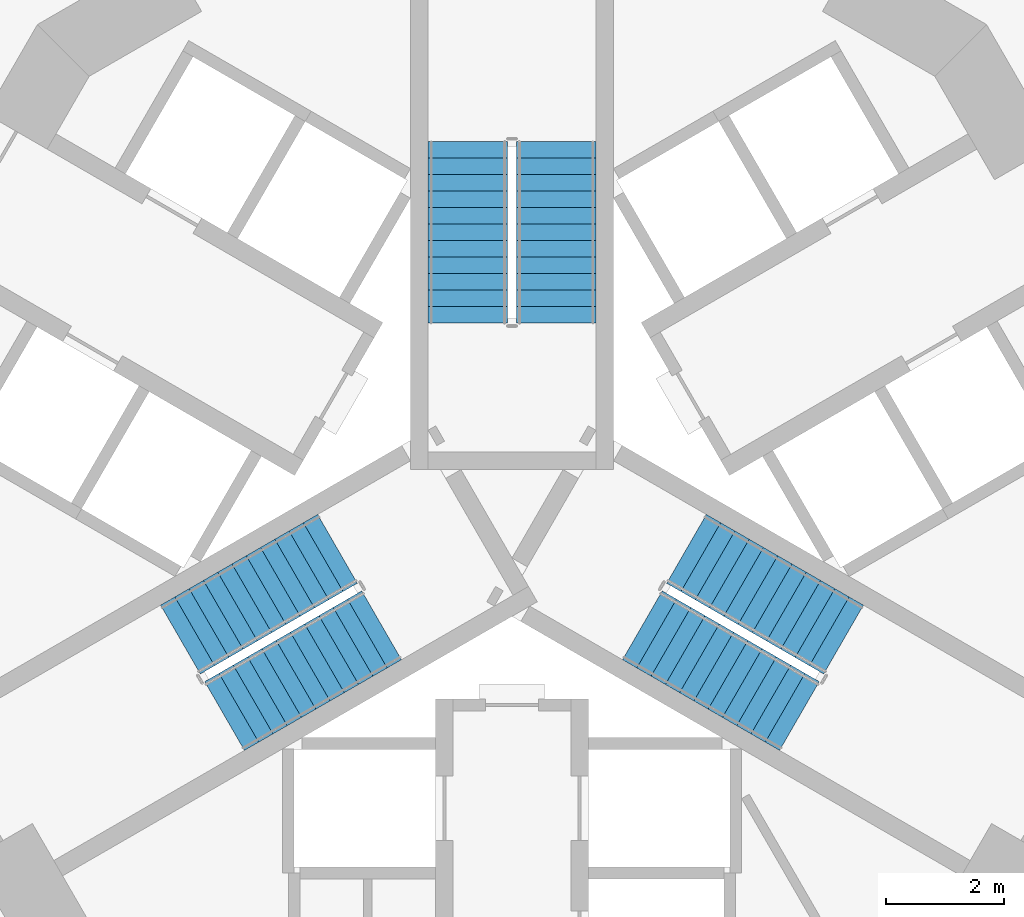
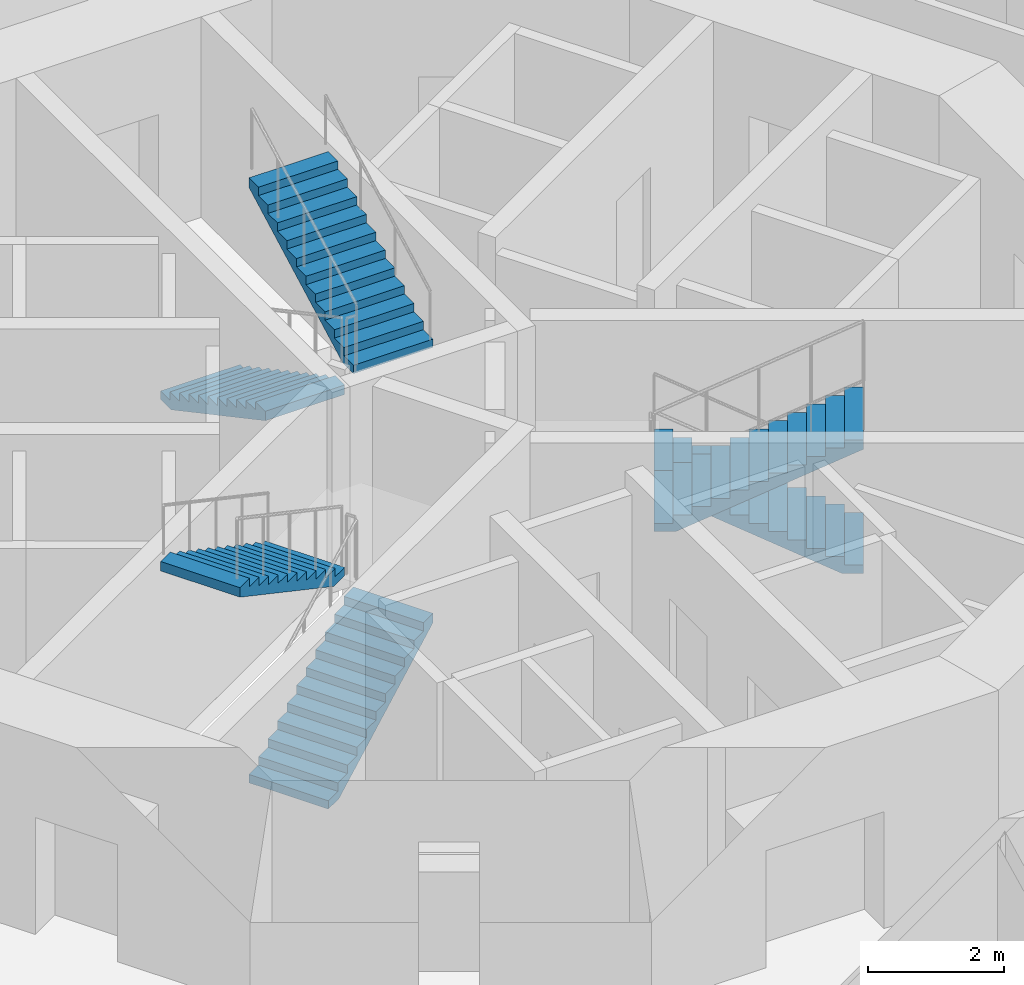
# One storey, part 11 of 19: 6 stair flights, 3 elements without a shape of their own.
"""IFC4 building model written with IfcOpenShell, lengths in metres."""

from ifc_helpers import new_model, si_unit, direction, frame, origin, place, context, subcontext, project, spatial, polyline, outline, extrude, material, type_object, element, aggregate, save


model = new_model("IFC4")

# Units and contexts
model_context = context("Model", 3, precision=1e-05, world=origin(), true_north=direction((0.0, 1.0)))
body_context = subcontext(model_context, "Body", "Model", "MODEL_VIEW")
ifc_project = project(units=[si_unit("LENGTHUNIT", "METRE"), si_unit("AREAUNIT", "SQUARE_METRE"), si_unit("VOLUMEUNIT", "CUBIC_METRE"), si_unit("PLANEANGLEUNIT", "RADIAN"), si_unit("MASSUNIT", "GRAM", prefix="KILO")], contexts=[model_context])

# Site, building, storey
site_placement = place(None, origin())
site = spatial("IfcSite", under=ifc_project, at=site_placement, CompositionType="ELEMENT")
building_placement = place(site_placement, origin())
building = spatial("IfcBuilding", under=site, at=building_placement, Name="Trine Commons Tower", CompositionType="ELEMENT")
storey_placement = place(building_placement, frame((0.0, 0.0, 87.300048828125)))
storey = spatial("IfcBuildingStorey", under=building, at=storey_placement, Name="L21", CompositionType="ELEMENT", Elevation=87.300048828125)

# Stair, stair flights
ifc_material = material(Name="Concrete C50/60", Category="concrete")
stair_type = type_object("IfcStairType", Name="Exit stair, dog-leg, 24 risers of 150 mm", PredefinedType="HALF_TURN_STAIR", material=ifc_material)
stair_1_placement = place(storey_placement, origin())
stair_1 = element("IfcStair", 1, at=stair_1_placement, inside=storey, type_object=stair_type, Name="L21 Exit stair ST1A", PredefinedType="HALF_TURN_STAIR")
stair_flight_type = type_object("IfcStairFlightType", Name="Stair flight, 1350 wide, 12 risers of 150 mm", PredefinedType="STRAIGHT", material=ifc_material)
stair_flight_1_placement = place(storey_placement, frame((79.25, 68.570556640625, 0.0), z_axis=(0.0, 0.0, 1.0), x_axis=(0.0, -1.0, 0.0)))
stair_flight_1 = element("IfcStairFlight", 2, at=stair_flight_1_placement, type_object=stair_flight_type, Name="ST1A flight 1", NumberOfRisers=12, NumberOfTreads=11, PredefinedType="STRAIGHT", RiserHeight=0.15, TreadLength=0.28, context=body_context, shape_type="SweptSolid", body=[
    extrude(outline(polyline([(0.0, 0.0), (0.0, 0.14990234375), (0.280029296875, 0.14990234375), (0.280029296875, 0.300048828125), (0.56005859375, 0.300048828125), (0.56005859375, 0.449951171875), (0.840087890625, 0.449951171875), (0.840087890625, 0.60009765625), (1.1201171875, 0.60009765625), (1.1201171875, 0.75), (1.39990234375, 0.75), (1.39990234375, 0.89990234375), (1.679931640625, 0.89990234375), (1.679931640625, 1.050048828125), (1.9599609375, 1.050048828125), (1.9599609375, 1.199951171875), (2.239990234375, 1.199951171875), (2.239990234375, 1.35009765625), (2.52001953125, 1.35009765625), (2.52001953125, 1.5), (2.800048828125, 1.5), (2.800048828125, 1.64990234375), (3.080078125, 1.64990234375), (3.080078125, 1.800048828125), (3.080078125, 1.47998046875), (0.3173828125, 0.0), (0.0, 0.0)])), frame((0.0, 0.675048828125, 0.0), z_axis=(0.0, -1.0, 0.0), x_axis=(1.0, 0.0, 0.0)), (0.0, 0.0, 1.0), 1.35009765625),
])
stair_flight_2_placement = place(storey_placement, frame((80.75, 65.490478515625, 1.800048828125), z_axis=(0.0, 0.0, 1.0), x_axis=(0.0, 1.0, 0.0)))
stair_flight_2 = element("IfcStairFlight", 3, at=stair_flight_2_placement, type_object=stair_flight_type, Name="ST1A flight 2", NumberOfRisers=12, NumberOfTreads=11, PredefinedType="STRAIGHT", RiserHeight=0.15, TreadLength=0.28, context=body_context, shape_type="SweptSolid", body=[
    extrude(outline(polyline([(0.0, 0.0), (0.0, 0.14990234375), (0.280029296875, 0.14990234375), (0.280029296875, 0.300048828125), (0.56005859375, 0.300048828125), (0.56005859375, 0.449951171875), (0.840087890625, 0.449951171875), (0.840087890625, 0.60009765625), (1.1201171875, 0.60009765625), (1.1201171875, 0.75), (1.39990234375, 0.75), (1.39990234375, 0.89990234375), (1.679931640625, 0.89990234375), (1.679931640625, 1.050048828125), (1.9599609375, 1.050048828125), (1.9599609375, 1.199951171875), (2.239990234375, 1.199951171875), (2.239990234375, 1.35009765625), (2.52001953125, 1.35009765625), (2.52001953125, 1.5), (2.800048828125, 1.5), (2.800048828125, 1.64990234375), (3.080078125, 1.64990234375), (3.080078125, 1.800048828125), (3.080078125, 1.47998046875), (0.3173828125, 0.0), (0.0, 0.0)])), frame((0.0, 0.675048828125, 0.0), z_axis=(0.0, -1.0, 0.0), x_axis=(1.0, 0.0, 0.0)), (0.0, 0.0, 1.0), 1.35009765625),
])
aggregate(stair_1, [stair_flight_1, stair_flight_2])

stair_2_placement = place(storey_placement, origin())
stair_2 = element("IfcStair", 4, at=stair_2_placement, inside=storey, type_object=stair_type, Name="L21 Exit stair ST2A", PredefinedType="HALF_TURN_STAIR")
stair_flight_3_placement = place(storey_placement, frame((75.11767578125, 58.815185546875, 0.0), z_axis=(0.0, 0.0, 1.0), x_axis=(0.866025403784, 0.5, 0.0)))
stair_flight_3 = element("IfcStairFlight", 5, at=stair_flight_3_placement, type_object=stair_flight_type, Name="ST2A flight 1", NumberOfRisers=12, NumberOfTreads=11, PredefinedType="STRAIGHT", RiserHeight=0.15, TreadLength=0.28, context=body_context, shape_type="SweptSolid", body=[
    extrude(outline(polyline([(0.0, 0.0), (0.0, 0.14990234375), (0.280029296875, 0.14990234375), (0.280029296875, 0.300048828125), (0.56005859375, 0.300048828125), (0.56005859375, 0.449951171875), (0.840087890625, 0.449951171875), (0.840087890625, 0.60009765625), (1.1201171875, 0.60009765625), (1.1201171875, 0.75), (1.39990234375, 0.75), (1.39990234375, 0.89990234375), (1.679931640625, 0.89990234375), (1.679931640625, 1.050048828125), (1.9599609375, 1.050048828125), (1.9599609375, 1.199951171875), (2.239990234375, 1.199951171875), (2.239990234375, 1.35009765625), (2.52001953125, 1.35009765625), (2.52001953125, 1.5), (2.800048828125, 1.5), (2.800048828125, 1.64990234375), (3.080078125, 1.64990234375), (3.080078125, 1.800048828125), (3.080078125, 1.47998046875), (0.3173828125, 0.0), (0.0, 0.0)])), frame((0.0, 0.675048828125, 0.0), z_axis=(0.0, -1.0, 0.0), x_axis=(1.0, 0.0, 0.0)), (0.0, 0.0, 1.0), 1.35009765625),
])
stair_flight_4_placement = place(storey_placement, frame((77.03515625, 61.654296875, 1.800048828125), z_axis=(0.0, 0.0, 1.0), x_axis=(-0.866025403784, -0.5, 0.0)))
stair_flight_4 = element("IfcStairFlight", 6, at=stair_flight_4_placement, type_object=stair_flight_type, Name="ST2A flight 2", NumberOfRisers=12, NumberOfTreads=11, PredefinedType="STRAIGHT", RiserHeight=0.15, TreadLength=0.28, context=body_context, shape_type="SweptSolid", body=[
    extrude(outline(polyline([(0.0, 0.0), (0.0, 0.14990234375), (0.280029296875, 0.14990234375), (0.280029296875, 0.300048828125), (0.56005859375, 0.300048828125), (0.56005859375, 0.449951171875), (0.840087890625, 0.449951171875), (0.840087890625, 0.60009765625), (1.1201171875, 0.60009765625), (1.1201171875, 0.75), (1.39990234375, 0.75), (1.39990234375, 0.89990234375), (1.679931640625, 0.89990234375), (1.679931640625, 1.050048828125), (1.9599609375, 1.050048828125), (1.9599609375, 1.199951171875), (2.239990234375, 1.199951171875), (2.239990234375, 1.35009765625), (2.52001953125, 1.35009765625), (2.52001953125, 1.5), (2.800048828125, 1.5), (2.800048828125, 1.64990234375), (3.080078125, 1.64990234375), (3.080078125, 1.800048828125), (3.080078125, 1.47998046875), (0.3173828125, 0.0), (0.0, 0.0)])), frame((0.0, 0.675048828125, 0.0), z_axis=(0.0, -1.0, 0.0), x_axis=(1.0, 0.0, 0.0)), (0.0, 0.0, 1.0), 1.35009765625),
])
aggregate(stair_2, [stair_flight_3, stair_flight_4])

stair_3_placement = place(storey_placement, origin())
stair_3 = element("IfcStair", 7, at=stair_3_placement, inside=storey, type_object=stair_type, Name="L21 Exit stair ST3A", PredefinedType="HALF_TURN_STAIR")
stair_flight_5_placement = place(storey_placement, frame((85.63232421875, 60.1142578125, 0.0), z_axis=(0.0, 0.0, 1.0), x_axis=(-0.866025403784, 0.5, 0.0)))
stair_flight_5 = element("IfcStairFlight", 8, at=stair_flight_5_placement, type_object=stair_flight_type, Name="ST3A flight 1", NumberOfRisers=12, NumberOfTreads=11, PredefinedType="STRAIGHT", RiserHeight=0.15, TreadLength=0.28, context=body_context, shape_type="SweptSolid", body=[
    extrude(outline(polyline([(0.0, 0.0), (0.0, 0.14990234375), (0.280029296875, 0.14990234375), (0.280029296875, 0.300048828125), (0.56005859375, 0.300048828125), (0.56005859375, 0.449951171875), (0.840087890625, 0.449951171875), (0.840087890625, 0.60009765625), (1.1201171875, 0.60009765625), (1.1201171875, 0.75), (1.39990234375, 0.75), (1.39990234375, 0.89990234375), (1.679931640625, 0.89990234375), (1.679931640625, 1.050048828125), (1.9599609375, 1.050048828125), (1.9599609375, 1.199951171875), (2.239990234375, 1.199951171875), (2.239990234375, 1.35009765625), (2.52001953125, 1.35009765625), (2.52001953125, 1.5), (2.800048828125, 1.5), (2.800048828125, 1.64990234375), (3.080078125, 1.64990234375), (3.080078125, 1.800048828125), (3.080078125, 1.47998046875), (0.3173828125, 0.0), (0.0, 0.0)])), frame((0.0, 0.675048828125, 0.0), z_axis=(0.0, -1.0, 0.0), x_axis=(1.0, 0.0, 0.0)), (0.0, 0.0, 1.0), 1.35009765625),
])
stair_flight_6_placement = place(storey_placement, frame((82.21484375, 60.355224609375, 1.800048828125), z_axis=(0.0, 0.0, 1.0), x_axis=(0.866025403784, -0.5, 0.0)))
stair_flight_6 = element("IfcStairFlight", 9, at=stair_flight_6_placement, type_object=stair_flight_type, Name="ST3A flight 2", NumberOfRisers=12, NumberOfTreads=11, PredefinedType="STRAIGHT", RiserHeight=0.15, TreadLength=0.28, context=body_context, shape_type="SweptSolid", body=[
    extrude(outline(polyline([(0.0, 0.0), (0.0, 0.14990234375), (0.280029296875, 0.14990234375), (0.280029296875, 0.300048828125), (0.56005859375, 0.300048828125), (0.56005859375, 0.449951171875), (0.840087890625, 0.449951171875), (0.840087890625, 0.60009765625), (1.1201171875, 0.60009765625), (1.1201171875, 0.75), (1.39990234375, 0.75), (1.39990234375, 0.89990234375), (1.679931640625, 0.89990234375), (1.679931640625, 1.050048828125), (1.9599609375, 1.050048828125), (1.9599609375, 1.199951171875), (2.239990234375, 1.199951171875), (2.239990234375, 1.35009765625), (2.52001953125, 1.35009765625), (2.52001953125, 1.5), (2.800048828125, 1.5), (2.800048828125, 1.64990234375), (3.080078125, 1.64990234375), (3.080078125, 1.800048828125), (3.080078125, 1.47998046875), (0.3173828125, 0.0), (0.0, 0.0)])), frame((0.0, 0.675048828125, 0.0), z_axis=(0.0, -1.0, 0.0), x_axis=(1.0, 0.0, 0.0)), (0.0, 0.0, 1.0), 1.35009765625),
])
aggregate(stair_3, [stair_flight_5, stair_flight_6])

save(model, "model.ifc")
